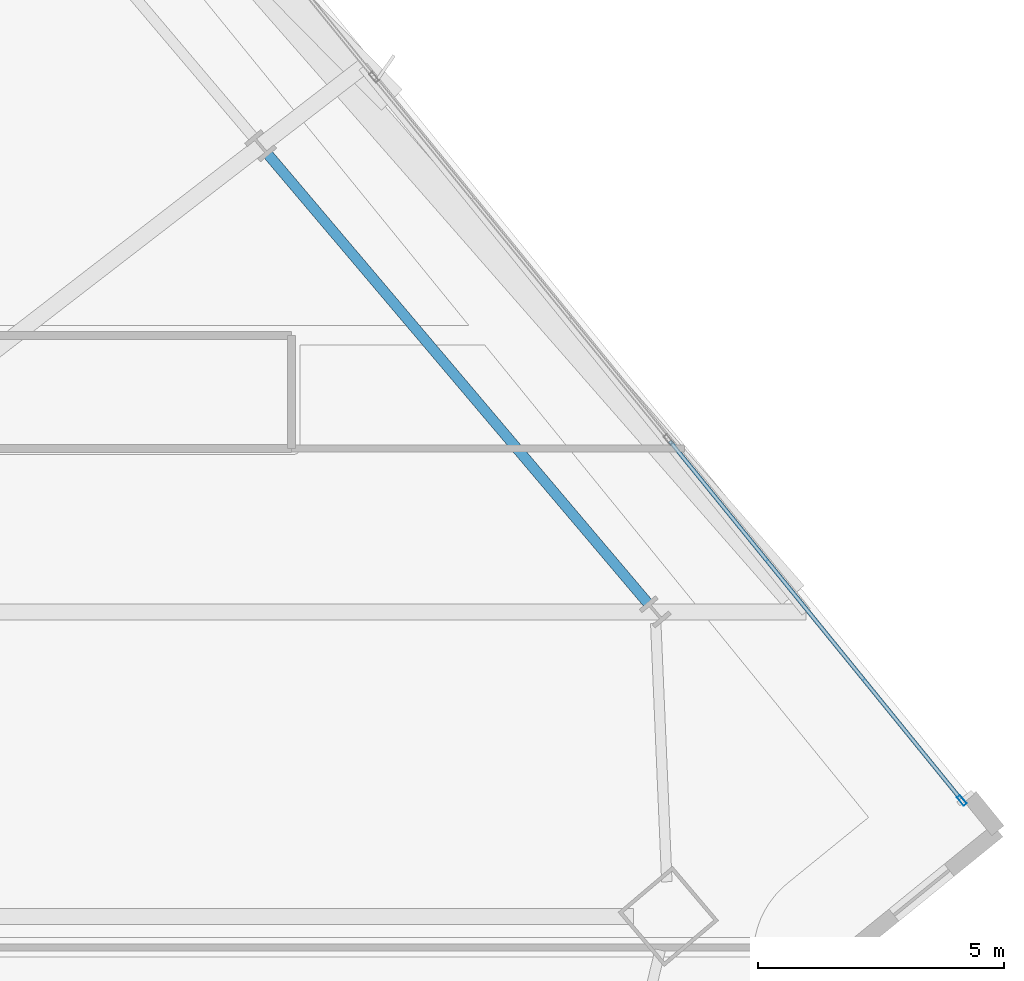
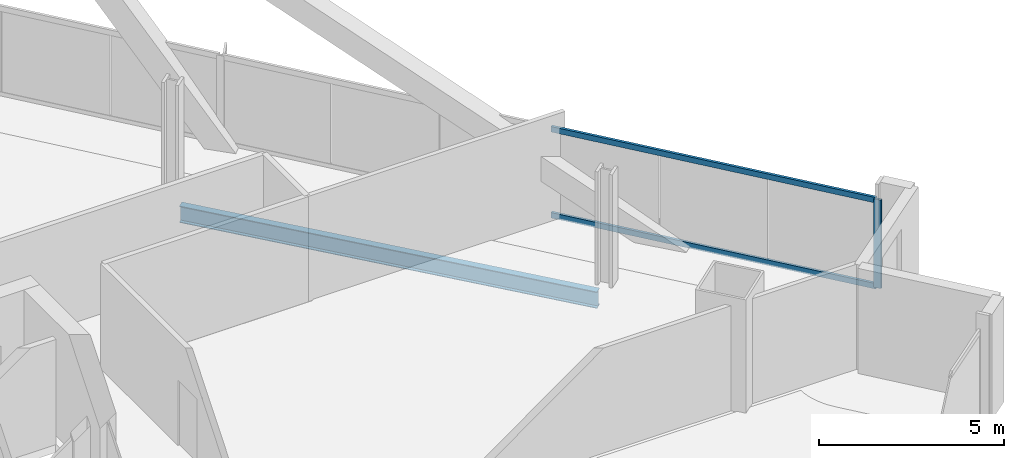
# One storey, part 20 of 36: 3 members, 1 beam, 1 element without a shape of its own.
"""IFC4 building model written with IfcOpenShell, lengths in metres."""

import ifcopenshell
import ifcopenshell.guid

model = None  # the IFC model being written
_history = None  # IfcOwnerHistory: only IFC2X3 demands one
_inside = {}  # id of a spatial element -> (the spatial element, [elements in it])
_under = {}  # id of a project, library or spatial element -> (it, [spatial elements below it])
_declared = {}  # id of a project -> (the project, [libraries it declares])
_typed = {}  # id of a type object -> (the type object, [elements of that type])
_made_of = {}  # id of a material, layer set ... -> (it, [elements and type objects made of it])


def new_model(schema):
    """Start an empty IFC model of exactly this schema.

    Asked for "IFC4X3", IfcOpenShell would pick the latest addendum, in which some entities
    have other attributes; the version numbers below select the first issue.
    IFC2X3 requires an IfcOwnerHistory on every rooted entity: one is made here for all.
    """
    global model, _history
    if schema == "IFC4X3":
        model = ifcopenshell.file(schema_version=(4, 3, 0, 0))
    else:
        model = ifcopenshell.file(schema=schema)
    _inside.clear()
    _under.clear()
    _declared.clear()
    _typed.clear()
    _made_of.clear()
    _history = None
    if model.schema == "IFC2X3":
        org = make("IfcOrganization", Name="unknown")
        user = make(
            "IfcPersonAndOrganization",
            ThePerson=make("IfcPerson", FamilyName="unknown"),
            TheOrganization=org,
        )
        app = make(
            "IfcApplication",
            ApplicationDeveloper=org,
            Version="unknown",
            ApplicationFullName="unknown",
            ApplicationIdentifier="unknown",
        )
        _history = make(
            "IfcOwnerHistory",
            OwningUser=user,
            OwningApplication=app,
            ChangeAction="ADDED",
            CreationDate=0,
        )
    return model


def make(cls, **values):
    """One entity of the class cls with the attributes given. An attribute that is None is left unset."""
    return model.create_entity(
        cls, **{name: value for name, value in values.items() if value is not None}
    )


def rooted(cls, **values):
    """An entity with a GlobalId (a new one), such as an element, a storey or a relation."""
    return make(cls, GlobalId=ifcopenshell.guid.new(), OwnerHistory=_history, **values)


def si_unit(unit_type, name, prefix=None):
    """IfcSIUnit, for example si_unit("LENGTHUNIT", "METRE", prefix="MILLI")."""
    return make("IfcSIUnit", UnitType=unit_type, Prefix=prefix, Name=name)


def assignment(units):
    """IfcUnitAssignment: the units of a project."""
    return None if units is None else make("IfcUnitAssignment", Units=units)


def point(xyz):
    """IfcCartesianPoint."""
    return None if xyz is None else make("IfcCartesianPoint", Coordinates=xyz)


def direction(xyz):
    """IfcDirection."""
    return None if xyz is None else make("IfcDirection", DirectionRatios=xyz)


def frame(location, z_axis=None, x_axis=None):
    """IfcAxis2Placement3D, a coordinate frame: its origin and axes. An axis left out is left unset."""
    return make(
        "IfcAxis2Placement3D",
        Location=point(location),
        Axis=direction(z_axis),
        RefDirection=direction(x_axis),
    )


def frame_2d(location, x_axis=None):
    """IfcAxis2Placement2D, a coordinate frame in the plane: its origin and x axis."""
    return make(
        "IfcAxis2Placement2D", Location=point(location), RefDirection=direction(x_axis)
    )


def origin():
    """The frame at (0, 0, 0) with its axes left unset."""
    return frame((0.0, 0.0, 0.0))


def origin_2d():
    """The frame at (0, 0) in the plane with its x axis left unset."""
    return frame_2d((0.0, 0.0))


def place(relative_to, where):
    """IfcLocalPlacement: puts the frame where relative to a parent placement (None: the world)."""
    return make(
        "IfcLocalPlacement", PlacementRelTo=relative_to, RelativePlacement=where
    )


def context(
    kind, dimensions, precision=None, world=None, true_north=None, identifier=None
):
    """IfcGeometricRepresentationContext, for example the 3D "Model" context."""
    return make(
        "IfcGeometricRepresentationContext",
        ContextIdentifier=identifier,
        ContextType=kind,
        CoordinateSpaceDimension=dimensions,
        Precision=precision,
        WorldCoordinateSystem=world,
        TrueNorth=true_north,
    )


def subcontext(parent, identifier, kind, view, scale=None):
    """IfcGeometricRepresentationSubContext, for example "Body" below "Model"."""
    return make(
        "IfcGeometricRepresentationSubContext",
        ContextIdentifier=identifier,
        ContextType=kind,
        ParentContext=parent,
        TargetScale=scale,
        TargetView=view,
    )


def project(units=None, contexts=None):
    """IfcProject with its units and contexts."""
    return rooted(
        "IfcProject",
        Name="project",
        RepresentationContexts=contexts,
        UnitsInContext=assignment(units),
    )


def spatial(cls, under=None, at=None, **own):
    """A site, building, storey or space (cls), placed at a placement, below another one or the project."""
    s = rooted(cls, ObjectPlacement=at, **own)
    if under is not None:
        _under.setdefault(under.id(), (under, []))[1].append(s)
    return s


def profile(cls, at=None, kind="AREA", **sizes):
    """A parametric profile (cls). Its sizes go by their IFC names, for example OverallWidth=200.0."""
    return make(cls, ProfileType=kind, Position=at, **sizes)


def hollow_rectangle(**sizes):
    """IfcRectangleHollowProfileDef."""
    return profile("IfcRectangleHollowProfileDef", **sizes)


def i_section(**sizes):
    """IfcIShapeProfileDef."""
    return profile("IfcIShapeProfileDef", **sizes)


def extrude(swept, where, along, depth):
    """IfcExtrudedAreaSolid: the profile swept, set in the frame where, extruded along a direction by depth."""
    return make(
        "IfcExtrudedAreaSolid",
        SweptArea=swept,
        Position=where,
        ExtrudedDirection=direction(along),
        Depth=depth,
    )


def shape(context_of_items, identifier, shape_type, items):
    """IfcShapeRepresentation: the items that make up one representation, for example the "Body"."""
    return make(
        "IfcShapeRepresentation",
        ContextOfItems=context_of_items,
        RepresentationIdentifier=identifier,
        RepresentationType=shape_type,
        Items=items,
    )


def material(Name=None, Category=None):
    """IfcMaterial."""
    return make("IfcMaterial", Name=Name, Category=Category)


def material_profile(
    of_material, cross_section, Name=None, Category=None, Priority=None
):
    """IfcMaterialProfile: a cross section and its material."""
    return make(
        "IfcMaterialProfile",
        Name=Name,
        Material=of_material,
        Profile=cross_section,
        Priority=Priority,
        Category=Category,
    )


def profile_set(profiles, Name=None, composite=None):
    """IfcMaterialProfileSet."""
    return make(
        "IfcMaterialProfileSet",
        Name=Name,
        MaterialProfiles=profiles,
        CompositeProfile=composite,
    )


def made_of(thing, what):
    """Note that an element or type object is made of a material, layer set ...; save() writes the relation."""
    if what is not None:
        _made_of.setdefault(what.id(), (what, []))[1].append(thing)
    return thing


def type_object(cls, material=None, **own):
    """A type object (cls), such as IfcWallType, which elements share."""
    return made_of(rooted(cls, **own), material)


def element(
    cls,
    number,
    at=None,
    inside=None,
    cuts=None,
    type_object=None,
    material=None,
    context=None,
    identifier="Body",
    shape_type=None,
    held_by="IfcProductDefinitionShape",
    body=None,
    shapes=None,
    **own,
):
    """One element of the class cls, such as IfcWall. Its Tag is "e" and its number.

    at: its placement. inside: the storey or other place that contains it. cuts: it is an
    opening in that element (IfcRelVoidsElement). A single representation is given by context,
    identifier, shape_type and body (its items); several are given by shapes. held_by: the class
    of the entity that holds the representations. save() writes the other relations.
    """
    e = rooted(cls, Tag="e%d" % number, ObjectPlacement=at, **own)
    if body is not None:
        shapes = [shape(context, identifier, shape_type, body)]
    if shapes is not None:
        e.Representation = make(held_by, Representations=shapes)
    if inside is not None:
        _inside.setdefault(inside.id(), (inside, []))[1].append(e)
    if cuts is not None:
        rooted(
            "IfcRelVoidsElement", RelatingBuildingElement=cuts, RelatedOpeningElement=e
        )
    if type_object is not None:
        _typed.setdefault(type_object.id(), (type_object, []))[1].append(e)
    return made_of(e, material)


def aggregate(whole, parts):
    """IfcRelAggregates: a whole, such as a stair, and the parts it consists of."""
    return rooted("IfcRelAggregates", RelatingObject=whole, RelatedObjects=parts)


def save(model, path):
    """Write the relations noted so far, then the file.

    IfcRelAggregates (storeys below a building ...), IfcRelContainedInSpatialStructure (elements
    in a storey), IfcRelDefinesByType, IfcRelAssociatesMaterial and IfcRelDeclares: one each for
    every whole, place, type object, material and project.
    """
    for whole, parts in _under.values():
        aggregate(whole, parts)
    for where, things in _inside.values():
        rooted(
            "IfcRelContainedInSpatialStructure",
            RelatedElements=things,
            RelatingStructure=where,
        )
    for kind, things in _typed.values():
        rooted("IfcRelDefinesByType", RelatedObjects=things, RelatingType=kind)
    for what, things in _made_of.values():
        rooted("IfcRelAssociatesMaterial", RelatedObjects=things, RelatingMaterial=what)
    for by, libraries in _declared.values():
        rooted("IfcRelDeclares", RelatingContext=by, RelatedDefinitions=libraries)
    model.write(path)


model = new_model("IFC4")

# Units and contexts
model_context = context("Model", 3, precision=1e-05, world=origin(), true_north=direction((0.0, 1.0)))
body_context = subcontext(model_context, "Body", "Model", "MODEL_VIEW")
ifc_project = project(units=[si_unit("LENGTHUNIT", "METRE"), si_unit("AREAUNIT", "SQUARE_METRE"), si_unit("VOLUMEUNIT", "CUBIC_METRE"), si_unit("PLANEANGLEUNIT", "RADIAN"), si_unit("MASSUNIT", "GRAM", prefix="KILO")], contexts=[model_context])

# Site, building, storey
site_placement = place(None, origin())
site = spatial("IfcSite", under=ifc_project, at=site_placement, CompositionType="ELEMENT")
building_placement = place(site_placement, origin())
building = spatial("IfcBuilding", under=site, at=building_placement, Name="Haldenkirk Collegiate Tower", CompositionType="ELEMENT")
storey_placement = place(building_placement, frame((0.0, 0.0, 159.449951171875)))
storey = spatial("IfcBuildingStorey", under=building, at=storey_placement, Name="L39", CompositionType="ELEMENT", Elevation=159.449951171875)

# Beam
ifc_material_1 = material(Name="Steel ASTM A992 Grade 50", Category="steel")
ifc_material_profile_1 = material_profile(ifc_material_1, i_section(OverallWidth=0.2119140625, OverallDepth=0.5439453125, WebThickness=0.01318359375, FlangeThickness=0.021240234375, at=origin_2d()), Name="W21X83")
ifc_profile_set_1 = profile_set([ifc_material_profile_1], Name="Steel ASTM A992 Grade 50")
beam_type = type_object("IfcBeamType", Name="BM-SPANDREL-W21X83", PredefinedType="SPANDREL", material=ifc_profile_set_1)
beam_placement = place(storey_placement, frame((61.051513671875, 30.998779296875, -0.56201171875), z_axis=(-0.646116898468, 0.763238464383, 0.0), x_axis=(-0.763238464383, -0.646116898468, 0.0)))
element("IfcBeam", 1, at=beam_placement, inside=storey, type_object=beam_type, Name="L39 perimeter spandrel beam 06", PredefinedType="SPANDREL", context=body_context, shape_type="SweptSolid", body=[
    extrude(i_section(OverallWidth=0.2119140625, OverallDepth=0.5439453125, WebThickness=0.01318359375, FlangeThickness=0.021240234375, at=origin_2d()), origin(), (0.0, 0.0, 1.0), 11.967041015625),
])

# Curtain wall, members
ifc_material_2 = material(Name="Anodised architectural bronze aluminium", Category="aluminium")
curtain_wall_type = type_object("IfcCurtainWallType", Name="CW-SYS1-CONVEX-LOW", PredefinedType="USERDEFINED", material=ifc_material_2)
curtain_wall_placement = place(storey_placement, origin())
curtain_wall = element("IfcCurtainWall", 2, at=curtain_wall_placement, inside=storey, type_object=curtain_wall_type, Name="L39 Lower tower convex bronze-framed unitised curtain wall", ObjectType="UNITISED CURTAIN WALL", PredefinedType="USERDEFINED")
ifc_material_profile_2 = material_profile(ifc_material_2, hollow_rectangle(XDim=0.080078125, YDim=0.219970703125, WallThickness=0.0048828125, at=origin_2d()), Name="CW-MUL-1A")
ifc_profile_set_2 = profile_set([ifc_material_profile_2], Name="Anodised architectural bronze aluminium")
member_type_1 = type_object("IfcMemberType", Name="CW-MUL-1A", PredefinedType="MULLION", material=ifc_profile_set_2)
member_1_placement = place(storey_placement, frame((67.437255859375, 26.988037109375, 0.0), z_axis=(0.0, 0.0, 1.0), x_axis=(0.776046540641, 0.630675643068, 0.0)))
member_1 = element("IfcMember", 3, at=member_1_placement, type_object=member_type_1, Name="CW-1A mullion 5", PredefinedType="MULLION", context=body_context, shape_type="SweptSolid", body=[
    extrude(hollow_rectangle(XDim=0.080078125, YDim=0.219970703125, WallThickness=0.0048828125, at=origin_2d()), origin(), (0.0, 0.0, 1.0), 2.9111328125),
])
ifc_material_profile_3 = material_profile(ifc_material_2, hollow_rectangle(XDim=0.080078125, YDim=0.179931640625, WallThickness=0.0048828125, at=origin_2d()), Name="CW-TRN-1A")
ifc_profile_set_3 = profile_set([ifc_material_profile_3], Name="Anodised architectural bronze aluminium")
member_type_2 = type_object("IfcMemberType", Name="CW-TRN-1A", PredefinedType="USERDEFINED", material=ifc_profile_set_3)
member_2_placement = place(storey_placement, frame((61.496337890625, 34.29833984375, 0.0400390625), z_axis=(0.630678849667, -0.776043934699, 0.0), x_axis=(0.776043934699, 0.630678849667, 0.0)))
member_2 = element("IfcMember", 4, at=member_2_placement, type_object=member_type_2, Name="CW-1A transom 4.1", ObjectType="TRANSOM", PredefinedType="USERDEFINED", context=body_context, shape_type="SweptSolid", body=[
    extrude(hollow_rectangle(XDim=0.080078125, YDim=0.179931640625, WallThickness=0.0048828125, at=origin_2d()), origin(), (0.0, 0.0, 1.0), 9.380126953125),
])
member_3_placement = place(storey_placement, frame((61.496337890625, 34.29833984375, 2.87109375), z_axis=(0.630678849667, -0.776043934699, 0.0), x_axis=(0.776043934699, 0.630678849667, 0.0)))
member_3 = element("IfcMember", 5, at=member_3_placement, type_object=member_type_2, Name="CW-1A transom 4.2", ObjectType="TRANSOM", PredefinedType="USERDEFINED", context=body_context, shape_type="SweptSolid", body=[
    extrude(hollow_rectangle(XDim=0.080078125, YDim=0.179931640625, WallThickness=0.0048828125, at=origin_2d()), origin(), (0.0, 0.0, 1.0), 9.380126953125),
])
aggregate(curtain_wall, [member_1, member_2, member_3])

save(model, "model.ifc")
